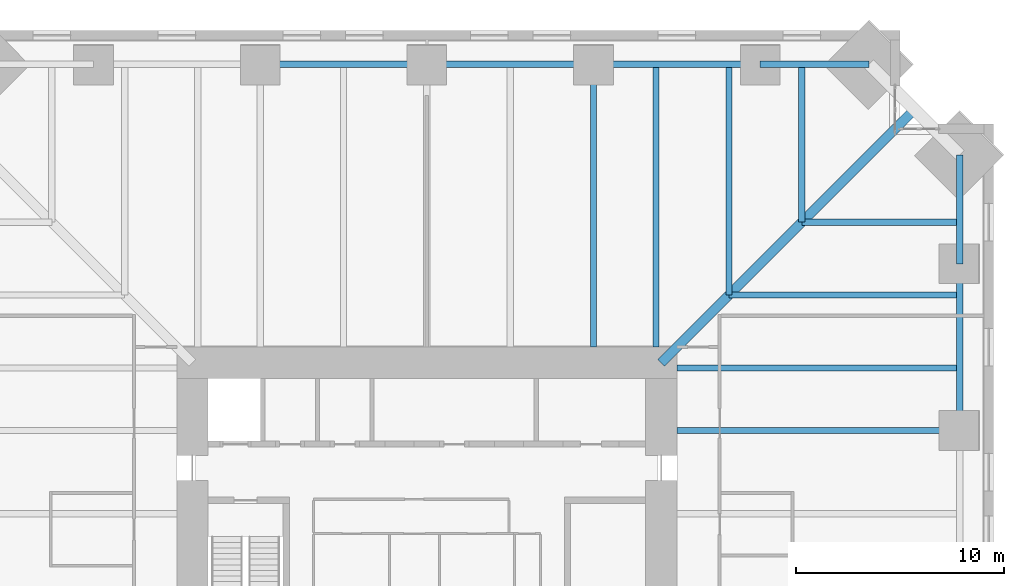
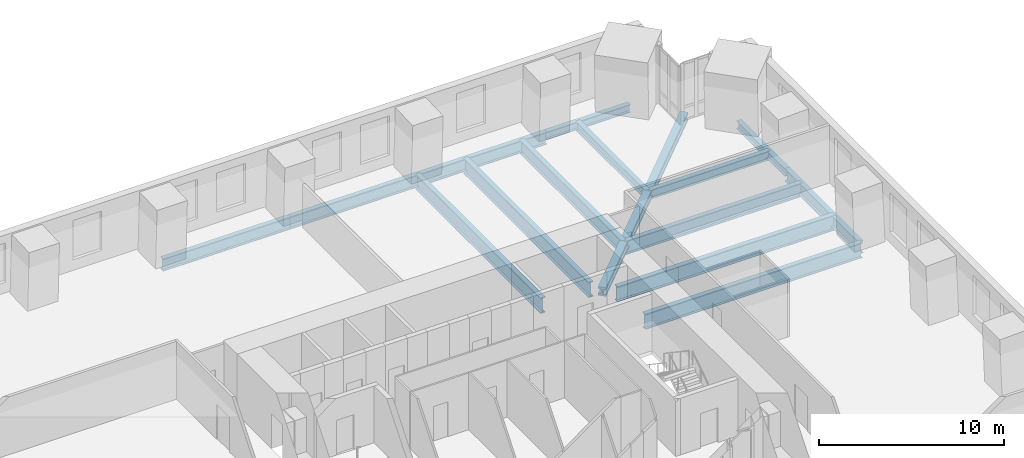
# One storey, part 7 of 16: 15 beams.
"""IFC4 building model written with IfcOpenShell, lengths in metres."""

from ifc_helpers import new_model, si_unit, direction, frame, origin, origin_2d, place, context, subcontext, project, spatial, i_section, extrude, material, material_profile, profile_set, type_object, element, save


model = new_model("IFC4")

# Units and contexts
model_context = context("Model", 3, precision=1e-05, world=origin(), true_north=direction((0.0, 1.0)))
body_context = subcontext(model_context, "Body", "Model", "MODEL_VIEW")
ifc_project = project(units=[si_unit("LENGTHUNIT", "METRE"), si_unit("AREAUNIT", "SQUARE_METRE"), si_unit("VOLUMEUNIT", "CUBIC_METRE"), si_unit("PLANEANGLEUNIT", "RADIAN"), si_unit("MASSUNIT", "GRAM", prefix="KILO")], contexts=[model_context])

# Site, building, storey
site_placement = place(None, origin())
site = spatial("IfcSite", under=ifc_project, at=site_placement, CompositionType="ELEMENT")
building_placement = place(site_placement, origin())
building = spatial("IfcBuilding", under=site, at=building_placement, Name="Peilmerk Tower", CompositionType="ELEMENT")
storey_placement = place(building_placement, frame((0.0, 0.0, 131.800048828125)))
storey = spatial("IfcBuildingStorey", under=building, at=storey_placement, Name="L26", CompositionType="ELEMENT", Elevation=131.800048828125)

# Beams
ifc_material_1 = material(Name="Steel S355", Category="steel")
ifc_material_profile_1 = material_profile(ifc_material_1, i_section(OverallWidth=0.302978515625, OverallDepth=0.81396484375, WebThickness=0.02099609375, FlangeThickness=0.0400390625, at=origin_2d()), Name="HEM 800")
ifc_profile_set_1 = profile_set([ifc_material_profile_1], Name="Steel S355")
beam_type_1 = type_object("IfcBeamType", Name="B15 HEM 800 edge beam", PredefinedType="SPANDREL", material=ifc_profile_set_1)
for number, where, z_axis, x_axis, name in (
    (1, (16.0, 25.582275390625, -0.5771484375), (-1.0, 0.0, 0.0), (0.0, -1.0, 0.0), "Edge beam L26"),
    (2, (8.0, 25.582275390625, -0.5771484375), (-1.0, 0.0, 0.0), (0.0, -1.0, 0.0), "Edge beam L26"),
    (3, (0.0, 25.582275390625, -0.5771484375), (-1.0, 0.0, 0.0), (0.0, -1.0, 0.0), "Edge beam L26"),
    (4, (25.582275390625, 8.0, -0.5771484375), (0.0, 1.0, 0.0), (-1.0, 0.0, 0.0), "Edge beam L26"),
):
    element("IfcBeam", number, at=place(storey_placement, frame(where, z_axis=z_axis, x_axis=x_axis)), inside=storey, type_object=beam_type_1, Name=name, PredefinedType="SPANDREL", context=body_context, shape_type="SweptSolid", body=[
        extrude(i_section(OverallWidth=0.302978515625, OverallDepth=0.81396484375, WebThickness=0.02099609375, FlangeThickness=0.0400390625, at=origin_2d()), origin(), (0.0, 0.0, 1.0), 8.0),
    ])
ifc_material_profile_2 = material_profile(ifc_material_1, i_section(OverallWidth=0.302001953125, OverallDepth=1.008056640625, WebThickness=0.02099609375, FlangeThickness=0.0400390625, at=origin_2d()), Name="HEM 1000")
ifc_profile_set_2 = profile_set([ifc_material_profile_2], Name="Steel S355")
beam_type_2 = type_object("IfcBeamType", Name="B24 HEM 1000 floor girder", PredefinedType="BEAM", material=ifc_profile_set_2)
for number, where, z_axis, x_axis, name in (
    (5, (11.0, 12.0, -0.674072265625), (0.0, 1.0, 0.0), (-1.0, 0.0, 0.0), "Floor beam L26"),
    (6, (8.0, 12.0, -0.674072265625), (0.0, 1.0, 0.0), (-1.0, 0.0, 0.0), "Floor beam L26"),
    (7, (12.0, 8.0, -0.674072265625), (1.0, 0.0, 0.0), (0.0, 1.0, 0.0), "Floor beam L26"),
    (8, (12.0, 11.0, -0.674072265625), (1.0, 0.0, 0.0), (0.0, 1.0, 0.0), "Floor beam L26"),
):
    element("IfcBeam", number, at=place(storey_placement, frame(where, z_axis=z_axis, x_axis=x_axis)), inside=storey, type_object=beam_type_2, Name=name, PredefinedType="BEAM", context=body_context, shape_type="SweptSolid", body=[
        extrude(i_section(OverallWidth=0.302001953125, OverallDepth=1.008056640625, WebThickness=0.02099609375, FlangeThickness=0.0400390625, at=origin_2d()), origin(), (0.0, 0.0, 1.0), 13.582275390625),
    ])
ifc_material_profile_3 = material_profile(ifc_material_1, i_section(OverallWidth=0.300048828125, OverallDepth=0.590087890625, WebThickness=0.012939453125, FlangeThickness=0.02490234375, at=origin_2d()), Name="HEA 600")
ifc_profile_set_3 = profile_set([ifc_material_profile_3], Name="Steel S355")
beam_type_3 = type_object("IfcBeamType", Name="B27 HEA 600 floor beam", PredefinedType="BEAM", material=ifc_profile_set_3)
for number, where, z_axis, x_axis, name in (
    (9, (18.0, 18.0, -0.465087890625), (0.0, 1.0, 0.0), (-1.0, 0.0, 0.0), "Floor beam L26"),
    (10, (18.0, 18.0, -0.465087890625), (1.0, 0.0, 0.0), (0.0, 1.0, 0.0), "Floor beam L26"),
):
    element("IfcBeam", number, at=place(storey_placement, frame(where, z_axis=z_axis, x_axis=x_axis)), inside=storey, type_object=beam_type_3, Name=name, PredefinedType="BEAM", context=body_context, shape_type="SweptSolid", body=[
        extrude(i_section(OverallWidth=0.300048828125, OverallDepth=0.590087890625, WebThickness=0.012939453125, FlangeThickness=0.02490234375, at=origin_2d()), origin(), (0.0, 0.0, 1.0), 7.582275390625),
    ])
ifc_material_profile_4 = material_profile(ifc_material_1, i_section(OverallWidth=0.305908203125, OverallDepth=0.52392578125, WebThickness=0.02099609375, FlangeThickness=0.0400390625, at=origin_2d()), Name="HEM 500")
ifc_profile_set_4 = profile_set([ifc_material_profile_4], Name="Steel S355")
beam_type_4 = type_object("IfcBeamType", Name="B33 HEM 500 edge beam", PredefinedType="SPANDREL", material=ifc_profile_set_4)
for number, where, z_axis, x_axis, name in (
    (11, (21.232177734375, 25.582275390625, -0.43212890625), (-1.0, 0.0, 0.0), (0.0, -1.0, 0.0), "Edge beam L26"),
    (12, (25.582275390625, 16.0, -0.43212890625), (0.0, 1.0, 0.0), (-1.0, 0.0, 0.0), "Edge beam L26"),
):
    element("IfcBeam", number, at=place(storey_placement, frame(where, z_axis=z_axis, x_axis=x_axis)), inside=storey, type_object=beam_type_4, Name=name, PredefinedType="SPANDREL", context=body_context, shape_type="SweptSolid", body=[
        extrude(i_section(OverallWidth=0.305908203125, OverallDepth=0.52392578125, WebThickness=0.02099609375, FlangeThickness=0.0400390625, at=origin_2d()), origin(), (0.0, 0.0, 1.0), 5.232177734375),
    ])
ifc_material_profile_5 = material_profile(ifc_material_1, i_section(OverallWidth=0.300048828125, OverallDepth=0.889892578125, WebThickness=0.01611328125, FlangeThickness=0.030029296875, at=origin_2d()), Name="HEA 900")
ifc_profile_set_5 = profile_set([ifc_material_profile_5], Name="Steel S355")
beam_type_5 = type_object("IfcBeamType", Name="B4 HEA 900 floor beam", PredefinedType="BEAM", material=ifc_profile_set_5)
for number, where, z_axis, x_axis, name in (
    (13, (14.5, 14.5, -0.614990234375), (0.0, 1.0, 0.0), (-1.0, 0.0, 0.0), "Floor beam L26"),
    (14, (14.5, 14.5, -0.614990234375), (1.0, 0.0, 0.0), (0.0, 1.0, 0.0), "Floor beam L26"),
):
    element("IfcBeam", number, at=place(storey_placement, frame(where, z_axis=z_axis, x_axis=x_axis)), inside=storey, type_object=beam_type_5, Name=name, PredefinedType="BEAM", context=body_context, shape_type="SweptSolid", body=[
        extrude(i_section(OverallWidth=0.300048828125, OverallDepth=0.889892578125, WebThickness=0.01611328125, FlangeThickness=0.030029296875, at=origin_2d()), origin(), (0.0, 0.0, 1.0), 11.082275390625),
    ])
ifc_material_2 = material(Name="Steel S460", Category="steel")
ifc_material_profile_6 = material_profile(ifc_material_2, i_section(OverallWidth=0.4541015625, OverallDepth=0.569091796875, WebThickness=0.077880859375, FlangeThickness=0.125, at=origin_2d()), Name="HD 400x1086")
ifc_profile_set_6 = profile_set([ifc_material_profile_6], Name="Steel S460")
beam_type_6 = type_object("IfcBeamType", Name="B9 HD 400x1086 corner girder", PredefinedType="BEAM", material=ifc_profile_set_6)
beam_placement = place(storey_placement, frame((11.25, 11.25, -0.45458984375), z_axis=(0.707106781187, 0.707106781187, 0.0), x_axis=(-0.707106781187, 0.707106781187, 0.0)))
element("IfcBeam", 15, at=beam_placement, inside=storey, type_object=beam_type_6, Name="Corner girder L26", PredefinedType="BEAM", context=body_context, shape_type="SweptSolid", body=[
    extrude(i_section(OverallWidth=0.4541015625, OverallDepth=0.569091796875, WebThickness=0.077880859375, FlangeThickness=0.125, at=origin_2d()), origin(), (0.0, 0.0, 1.0), 17.19287109375),
])

save(model, "model.ifc")
